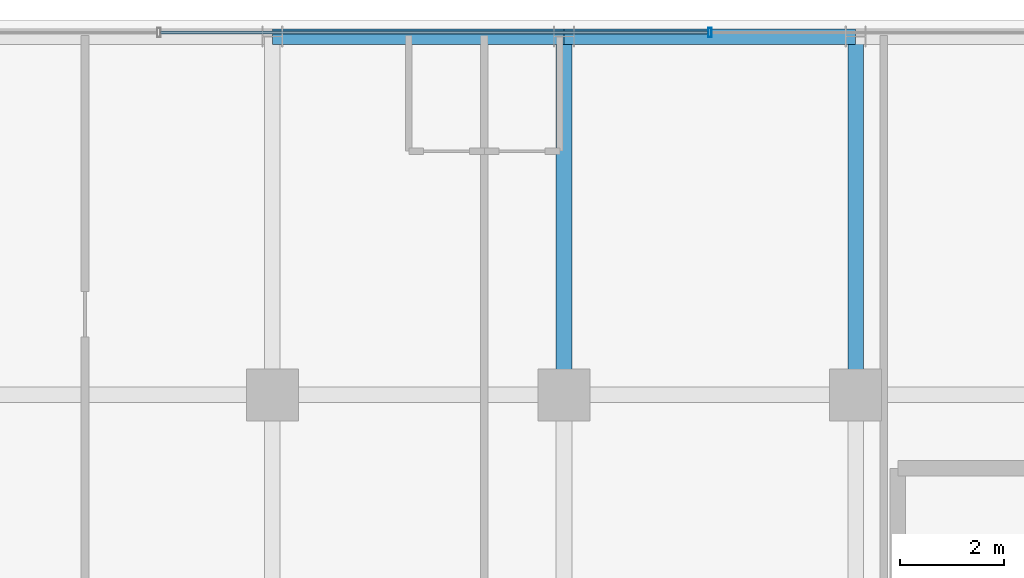
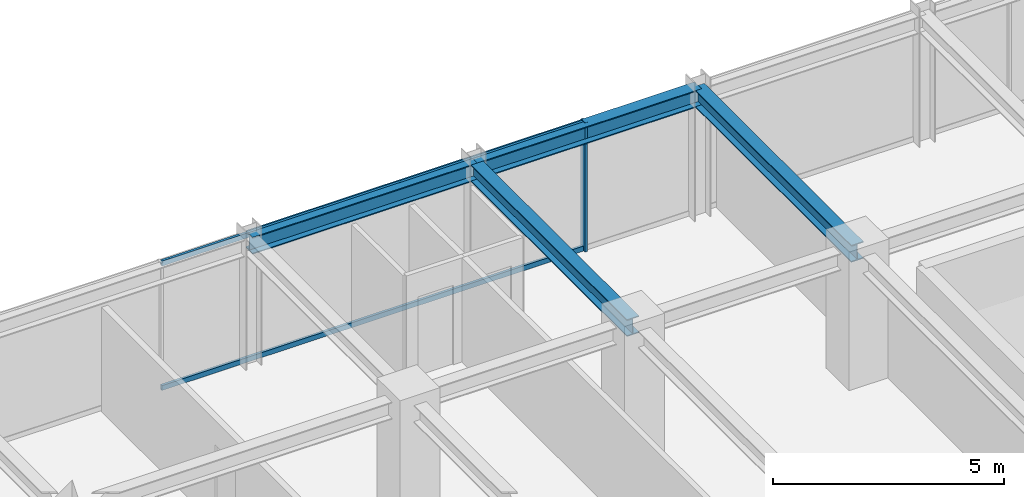
# One storey, part 22 of 35: 4 beams, 3 members, 1 element without a shape of its own.
"""IFC4 building model written with IfcOpenShell, lengths in metres."""

from ifc_helpers import new_model, si_unit, direction, frame, origin, origin_2d, place, context, subcontext, project, spatial, hollow_rectangle, i_section, extrude, source, transform, mapped, material, material_profile, profile_set, type_object, element, aggregate, save


model = new_model("IFC4")

# Units and contexts
model_context = context("Model", 3, precision=1e-05, world=origin(), true_north=direction((0.0, 1.0)))
body_context = subcontext(model_context, "Body", "Model", "MODEL_VIEW")
ifc_project = project(units=[si_unit("LENGTHUNIT", "METRE"), si_unit("AREAUNIT", "SQUARE_METRE"), si_unit("VOLUMEUNIT", "CUBIC_METRE"), si_unit("PLANEANGLEUNIT", "RADIAN"), si_unit("MASSUNIT", "GRAM", prefix="KILO")], contexts=[model_context])

# Site, building, storey
site_placement = place(None, origin())
site = spatial("IfcSite", under=ifc_project, at=site_placement, CompositionType="ELEMENT")
building_placement = place(site_placement, origin())
building = spatial("IfcBuilding", under=site, at=building_placement, Name="Nahalor Promenade Grand Hotel", CompositionType="ELEMENT")
storey_placement = place(building_placement, frame((0.0, 0.0, 245.60009765625)))
storey = spatial("IfcBuildingStorey", under=building, at=storey_placement, Name="L63", CompositionType="ELEMENT", Elevation=245.60009765625)

# Beams
ifc_material_1 = material(Name="Steel S355JR", Category="steel")
ifc_material_profile_1 = material_profile(ifc_material_1, i_section(OverallWidth=0.3, OverallDepth=0.45, WebThickness=0.014, FlangeThickness=0.026, at=origin_2d()), Name="HEB 450")
ifc_profile_set_1 = profile_set([ifc_material_profile_1], Name="Steel S355JR")
beam_type_1 = type_object("IfcBeamType", Name="Beam-Spandrel-HEB450", PredefinedType="SPANDREL", material=ifc_profile_set_1)
shared_shape_1 = source(origin(), body_context, "Body", "SweptSolid", [
    extrude(i_section(OverallWidth=0.3, OverallDepth=0.45, WebThickness=0.014, FlangeThickness=0.026, at=origin_2d()), origin(), (0.0, 0.0, 1.0), 5.599853515625),
])
beam_1_placement = place(storey_placement, frame((-8.39990234375, 23.8798828125, 3.184814453125), z_axis=(1.0, 0.0, 0.0), x_axis=(0.0, 1.0, 0.0)))
element("IfcBeam", 1, at=beam_1_placement, inside=storey, type_object=beam_type_1, Name="BM-L63-SP-N-1", PredefinedType="SPANDREL", context=body_context, shape_type="MappedRepresentation", body=[
    mapped(shared_shape_1, transform((0.0, 0.0, 0.0), scale=1.0)),
])
shared_shape_2 = source(origin(), body_context, "Body", "SweptSolid", [
    extrude(i_section(OverallWidth=0.3, OverallDepth=0.45, WebThickness=0.014, FlangeThickness=0.026, at=origin_2d()), origin(), (0.0, 0.0, 1.0), 5.60009765625),
])
beam_2_placement = place(storey_placement, frame((-2.800048828125, 23.8798828125, 3.184814453125), z_axis=(1.0, 0.0, 0.0), x_axis=(0.0, 1.0, 0.0)))
element("IfcBeam", 2, at=beam_2_placement, inside=storey, type_object=beam_type_1, Name="BM-L63-SP-N-2", PredefinedType="SPANDREL", context=body_context, shape_type="MappedRepresentation", body=[
    mapped(shared_shape_2, transform((0.0, 0.0, 0.0), scale=1.0)),
])
ifc_material_profile_2 = material_profile(ifc_material_1, i_section(OverallWidth=0.3, OverallDepth=0.45, WebThickness=0.014, FlangeThickness=0.026, at=origin_2d()), Name="HEB 450")
ifc_profile_set_2 = profile_set([ifc_material_profile_2], Name="Steel S355JR")
beam_type_2 = type_object("IfcBeamType", Name="Beam-Girder-HEB450", PredefinedType="BEAM", material=ifc_profile_set_2)
shared_shape_3 = source(origin(), body_context, "Body", "SweptSolid", [
    extrude(i_section(OverallWidth=0.3, OverallDepth=0.45, WebThickness=0.014, FlangeThickness=0.026, at=origin_2d()), origin(), (0.0, 0.0, 1.0), 6.8798828125),
])
for number, where, z_axis, x_axis, name in (
    (3, (-2.800048828125, 17.0, 3.184814453125), (0.0, 1.0, 0.0), (-1.0, 0.0, 0.0), "BM-L63-GY-2-4"),
    (4, (2.800048828125, 17.0, 3.184814453125), (0.0, 1.0, 0.0), (-1.0, 0.0, 0.0), "BM-L63-GY-3-4"),
):
    element("IfcBeam", number, at=place(storey_placement, frame(where, z_axis=z_axis, x_axis=x_axis)), inside=storey, type_object=beam_type_2, Name=name, PredefinedType="BEAM", context=body_context, shape_type="MappedRepresentation", body=[
        mapped(shared_shape_3, transform((0.0, 0.0, 0.0), scale=1.0)),
    ])

# Curtain wall, members
ifc_material_2 = material(Name="Anodised Bronze Aluminium EN AW-6063 T6", Category="aluminium")
curtain_wall_type = type_object("IfcCurtainWallType", Name="CW2 Typical Hotel Flush Bronze Unitised Curtain Wall", PredefinedType="USERDEFINED", material=ifc_material_2)
curtain_wall_placement = place(storey_placement, origin())
curtain_wall = element("IfcCurtainWall", 5, at=curtain_wall_placement, inside=storey, type_object=curtain_wall_type, Name="L63 Curtain Wall CW-L63-N-1", ObjectType="UNITISED_CURTAIN_WALL", PredefinedType="USERDEFINED")
ifc_material_profile_3 = material_profile(ifc_material_2, hollow_rectangle(XDim=0.065, YDim=0.13, WallThickness=0.004, at=origin_2d()), Name="CWT 65x130x4")
ifc_profile_set_3 = profile_set([ifc_material_profile_3], Name="Anodised Bronze Aluminium EN AW-6063 T6")
member_type_1 = type_object("IfcMemberType", Name="CWT2 Typical Bronze Transom 65x130", PredefinedType="USERDEFINED", material=ifc_profile_set_3)
shared_shape_4 = source(origin(), body_context, "Body", "SweptSolid", [
    extrude(hollow_rectangle(XDim=0.065, YDim=0.13, WallThickness=0.004, at=origin_2d()), origin(), (0.0, 0.0, 1.0), 10.51513671875),
])
member_1_placement = place(storey_placement, frame((-10.547607421875, 23.9599609375, 0.06494140625), z_axis=(1.0, 0.0, 0.0), x_axis=(0.0, 1.0, 0.0)))
member_1 = element("IfcMember", 6, at=member_1_placement, type_object=member_type_1, Name="CW-L63-N-1 Transom 1-0", ObjectType="TRANSOM", PredefinedType="USERDEFINED", context=body_context, shape_type="MappedRepresentation", body=[
    mapped(shared_shape_4, transform((0.0, 0.0, 0.0), scale=1.0)),
])
member_2_placement = place(storey_placement, frame((-10.547607421875, 23.9599609375, 3.344970703125), z_axis=(1.0, 0.0, 0.0), x_axis=(0.0, 1.0, 0.0)))
member_2 = element("IfcMember", 7, at=member_2_placement, type_object=member_type_1, Name="CW-L63-N-1 Transom 1-1", ObjectType="TRANSOM", PredefinedType="USERDEFINED", context=body_context, shape_type="MappedRepresentation", body=[
    mapped(shared_shape_4, transform((0.0, 0.0, 0.0), scale=1.0)),
])
ifc_material_profile_4 = material_profile(ifc_material_2, hollow_rectangle(XDim=0.065, YDim=0.18, WallThickness=0.004, at=origin_2d()), Name="CWM 65x180x4")
ifc_profile_set_4 = profile_set([ifc_material_profile_4], Name="Anodised Bronze Aluminium EN AW-6063 T6")
member_type_2 = type_object("IfcMemberType", Name="CWM2 Typical Bronze Mullion 65x180", PredefinedType="MULLION", material=ifc_profile_set_4)
shared_shape_5 = source(origin(), body_context, "Body", "SweptSolid", [
    extrude(hollow_rectangle(XDim=0.065, YDim=0.18, WallThickness=0.004, at=origin_2d()), origin(), (0.0, 0.0, 1.0), 3.409912109375),
])
member_3_placement = place(storey_placement, frame((0.0, 23.9599609375, 0.0), z_axis=(0.0, 0.0, 1.0), x_axis=(1.0, 0.0, 0.0)))
member_3 = element("IfcMember", 8, at=member_3_placement, type_object=member_type_2, Name="CW-L63-N-1 Mullion 2", PredefinedType="MULLION", context=body_context, shape_type="MappedRepresentation", body=[
    mapped(shared_shape_5, transform((0.0, 0.0, 0.0), scale=1.0)),
])
aggregate(curtain_wall, [member_3, member_1, member_2])

save(model, "model.ifc")
